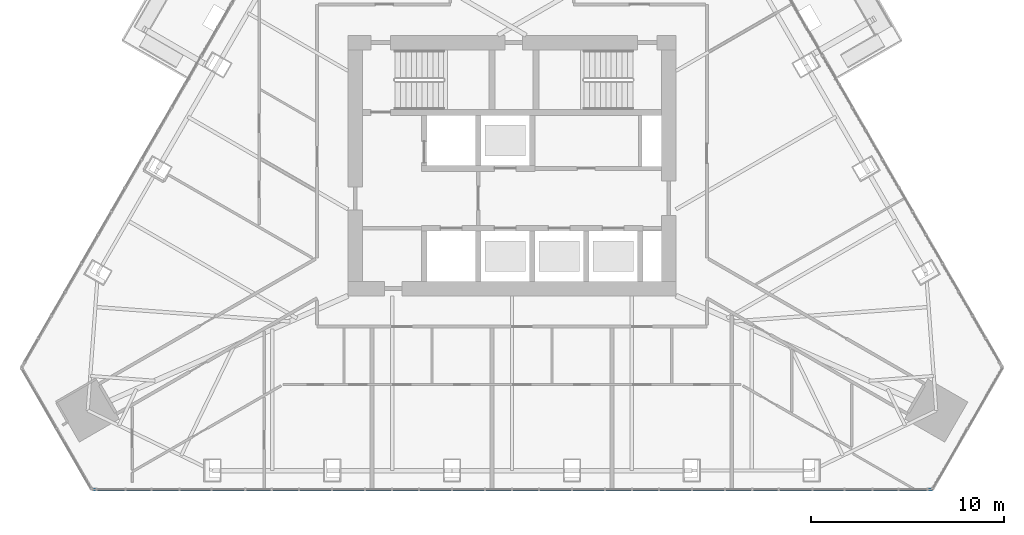
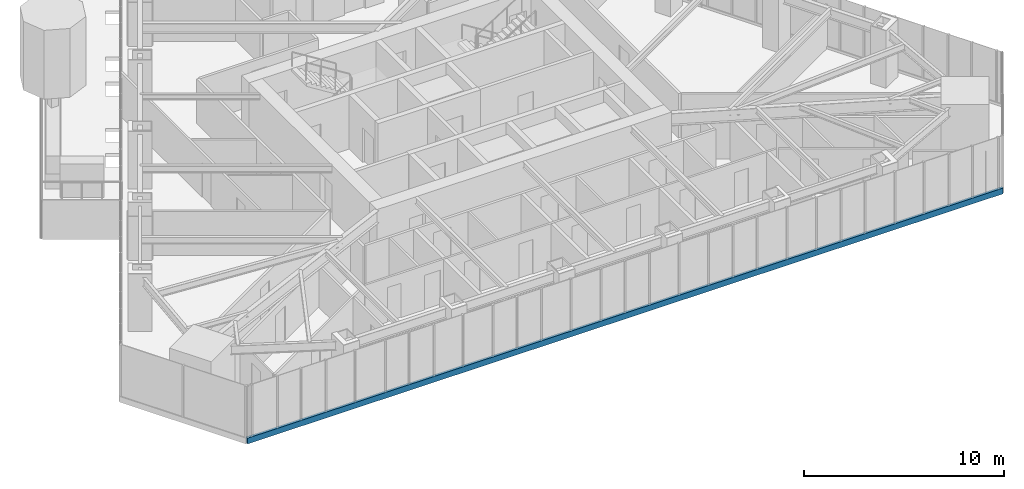
# One storey, part 3 of 22: 1 member, 1 element without a shape of its own.
"""IFC4 building model written with IfcOpenShell, lengths in metres."""

from ifc_helpers import new_model, si_unit, direction, frame, origin, origin_2d, place, context, subcontext, project, spatial, rectangle, extrude, material, layer, layer_set, material_profile, profile_set, type_object, element, aggregate, save


model = new_model("IFC4")

# Units and contexts
model_context = context("Model", 3, precision=1e-05, world=origin(), true_north=direction((0.0, 1.0)))
body_context = subcontext(model_context, "Body", "Model", "MODEL_VIEW")
ifc_project = project(units=[si_unit("LENGTHUNIT", "METRE"), si_unit("AREAUNIT", "SQUARE_METRE"), si_unit("VOLUMEUNIT", "CUBIC_METRE"), si_unit("PLANEANGLEUNIT", "RADIAN"), si_unit("MASSUNIT", "GRAM", prefix="KILO")], contexts=[model_context])

# Site, building, storey
site_placement = place(None, origin())
site = spatial("IfcSite", under=ifc_project, at=site_placement, CompositionType="ELEMENT")
building_placement = place(site_placement, origin())
building = spatial("IfcBuilding", under=site, at=building_placement, Name="Firuza Gate Tower and Library", CompositionType="ELEMENT")
storey_placement = place(building_placement, frame((0.0, 0.0, 295.10009765625)))
storey = spatial("IfcBuildingStorey", under=building, at=storey_placement, Name="L71", CompositionType="ELEMENT", Elevation=295.10009765625)

# Curtain wall, member
ifc_material_1 = material(Name="Aluminium 6063-T6", Category="aluminium")
ifc_layer = layer(ifc_material_1, 0.14990234375)
ifc_layer_set = layer_set([ifc_layer], Name="Unitised curtain wall, residences")
curtain_wall_type = type_object("IfcCurtainWallType", Name="Unitised curtain wall, residences", PredefinedType="NOTDEFINED", material=ifc_layer_set)
curtain_wall_placement = place(storey_placement, origin())
curtain_wall = element("IfcCurtainWall", 1, at=curtain_wall_placement, inside=storey, type_object=curtain_wall_type, Name="CW3 L71 S face", PredefinedType="NOTDEFINED")
ifc_material_2 = material(Name="Aluminium 6063-T6", Category="aluminium")
ifc_material_profile = material_profile(ifc_material_2, rectangle(XDim=0.14990234375, YDim=0.35009765625, at=origin_2d()))
ifc_profile_set = profile_set([ifc_material_profile], Name="Aluminium 6063-T6")
member_type = type_object("IfcMemberType", Name="Curtain wall transom 350x150", PredefinedType="USERDEFINED", material=ifc_profile_set)
member_placement = place(storey_placement, frame((53.2099609375, 58.212646484375, -0.025146484375), z_axis=(1.0, 0.0, 0.0), x_axis=(0.0, 1.0, 0.0)))
member = element("IfcMember", 2, at=member_placement, type_object=member_type, Name="Transom", ObjectType="TRANSOM", PredefinedType="USERDEFINED", context=body_context, shape_type="SweptSolid", body=[
    extrude(rectangle(XDim=0.14990234375, YDim=0.35009765625, at=origin_2d()), origin(), (0.0, 0.0, 1.0), 43.580078125),
])
aggregate(curtain_wall, [member])

save(model, "model.ifc")
